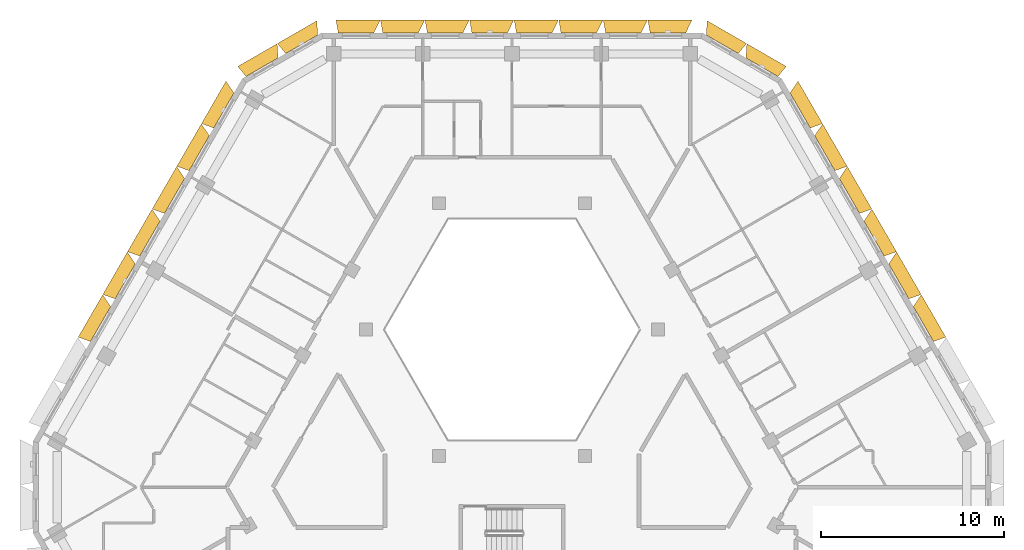
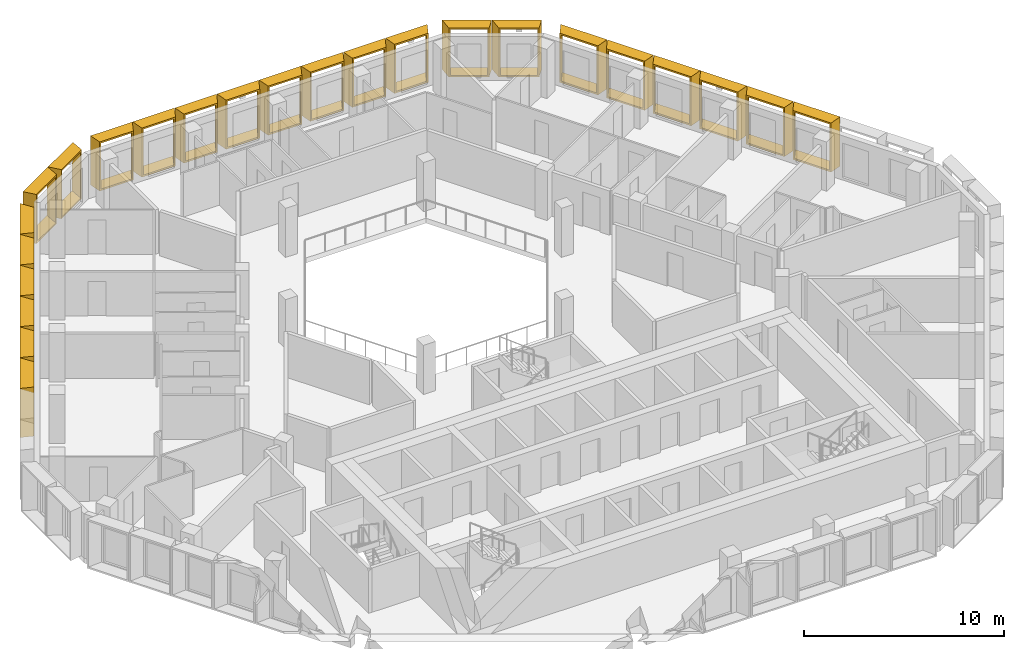
# One storey, part 18 of 18: 24 shading devices.
"""IFC4 building model written with IfcOpenShell, lengths in metres."""

from ifc_helpers import new_model, entity, si_unit, direction, frame, origin, place, context, subcontext, project, spatial, source, transform, mapped, material, type_object, type_shapes, element, save


model = new_model("IFC4")

# Units and contexts
model_context = context("Model", 3, precision=1e-05, world=origin(), true_north=direction((0.0, 1.0)))
body_context = subcontext(model_context, "Body", "Model", "MODEL_VIEW")
ifc_project = project(units=[si_unit("LENGTHUNIT", "METRE"), si_unit("AREAUNIT", "SQUARE_METRE"), si_unit("VOLUMEUNIT", "CUBIC_METRE"), si_unit("PLANEANGLEUNIT", "RADIAN"), si_unit("MASSUNIT", "GRAM", prefix="KILO")], contexts=[model_context])

# Site, building, storey
site_placement = place(None, origin())
site = spatial("IfcSite", under=ifc_project, at=site_placement, CompositionType="ELEMENT")
building_placement = place(site_placement, origin())
building = spatial("IfcBuilding", under=site, at=building_placement, Name="Beryl Residences", CompositionType="ELEMENT")
storey_placement = place(building_placement, frame((0.0, 0.0, 190.199951171875)))
storey = spatial("IfcBuildingStorey", under=building, at=storey_placement, Name="L58", CompositionType="ELEMENT", Elevation=190.199951171875)

# Shading devices
ifc_material_1 = material(Name="Aluminium pale anodised", Category="aluminium")
shading_device_type_1 = type_object("IfcShadingDeviceType", Name="FR243-70B OUTER SKIN frame 700 mm deep, splay 26/10 deg, 2430 x 3000 mm cell", PredefinedType="USERDEFINED", material=ifc_material_1)
cartesian_point_1 = entity("IfcCartesianPoint", [-0.972412109375, 0.0])
cartesian_point_2 = entity("IfcCartesianPoint", [-0.883544921875, 0.10009765625])
cartesian_point_3 = entity("IfcCartesianPoint", [-1.31396484375, 0.0])
cartesian_point_4 = entity("IfcCartesianPoint", [-1.224853515625, 0.10009765625])
shared_shape_1 = source(origin(), body_context, "Body", "SweptSolid", [
    entity("IfcExtrudedAreaSolidTapered", entity("IfcArbitraryProfileDefWithVoids", "AREA", None, entity("IfcPolyline", [cartesian_point_1, entity("IfcCartesianPoint", [0.972412109375, 0.0]), entity("IfcCartesianPoint", [0.972412109375, 3.0]), entity("IfcCartesianPoint", [-0.972412109375, 3.0]), cartesian_point_1]), [entity("IfcPolyline", [cartesian_point_2, entity("IfcCartesianPoint", [0.891357421875, 0.10009765625]), entity("IfcCartesianPoint", [0.891357421875, 2.89990234375]), entity("IfcCartesianPoint", [-0.883544921875, 2.89990234375]), cartesian_point_2])]), entity("IfcAxis2Placement3D", entity("IfcCartesianPoint", [0.0, 0.0, 0.0]), entity("IfcDirection", [0.0, 1.0, 0.0]), entity("IfcDirection", [-1.0, 0.0, 0.0])), entity("IfcDirection", [0.0, 0.0, 1.0]), 0.699951171875, entity("IfcArbitraryProfileDefWithVoids", "AREA", None, entity("IfcPolyline", [cartesian_point_3, entity("IfcCartesianPoint", [1.095947265625, 0.0]), entity("IfcCartesianPoint", [1.095947265625, 3.0]), entity("IfcCartesianPoint", [-1.31396484375, 3.0]), cartesian_point_3]), [entity("IfcPolyline", [cartesian_point_4, entity("IfcCartesianPoint", [1.0146484375, 0.10009765625]), entity("IfcCartesianPoint", [1.0146484375, 2.89990234375]), entity("IfcCartesianPoint", [-1.224853515625, 2.89990234375]), cartesian_point_4])])),
])
type_shapes(shading_device_type_1, [shared_shape_1])
for number, where, z_axis, x_axis, name in (
    (1, (8.511962890625, 24.199951171875, 0.0), (0.0, 0.0, 1.0), (1.0, 0.0, 0.0), "FR243-70B frame L58 N 1"),
    (2, (6.080078125, 24.199951171875, 0.0), (0.0, 0.0, 1.0), (1.0, 0.0, 0.0), "FR243-70B frame L58 N 2"),
    (3, (3.64794921875, 24.199951171875, 0.0), (0.0, 0.0, 1.0), (1.0, 0.0, 0.0), "FR243-70B frame L58 N 3"),
    (4, (1.216064453125, 24.199951171875, 0.0), (0.0, 0.0, 1.0), (1.0, 0.0, 0.0), "FR243-70B frame L58 N 4"),
    (5, (-1.216064453125, 24.199951171875, 0.0), (0.0, 0.0, 1.0), (1.0, 0.0, 0.0), "FR243-70B frame L58 N 5"),
    (6, (-3.64794921875, 24.199951171875, 0.0), (0.0, 0.0, 1.0), (1.0, 0.0, 0.0), "FR243-70B frame L58 N 6"),
    (7, (-6.080078125, 24.199951171875, 0.0), (0.0, 0.0, 1.0), (1.0, 0.0, 0.0), "FR243-70B frame L58 N 7"),
    (8, (-8.511962890625, 24.199951171875, 0.0), (0.0, 0.0, 1.0), (1.0, 0.0, 0.0), "FR243-70B frame L58 N 8"),
):
    element("IfcShadingDevice", number, at=place(storey_placement, frame(where, z_axis=z_axis, x_axis=x_axis)), inside=storey, type_object=shading_device_type_1, Name=name, ObjectType="OUTER SKIN", PredefinedType="USERDEFINED", context=body_context, shape_type="MappedRepresentation", body=[
        mapped(shared_shape_1, transform((0.0, 0.0, 0.0))),
    ])
ifc_material_2 = material(Name="Aluminium pale anodised", Category="aluminium")
shading_device_type_2 = type_object("IfcShadingDeviceType", Name="FR250-70B OUTER SKIN frame 700 mm deep, splay 26/10 deg, 2500 x 3000 mm cell", PredefinedType="USERDEFINED", material=ifc_material_2)
cartesian_point_5 = entity("IfcCartesianPoint", [-1.007568359375, 0.0])
cartesian_point_6 = entity("IfcCartesianPoint", [-0.91845703125, 0.10009765625])
cartesian_point_7 = entity("IfcCartesianPoint", [-1.348876953125, 0.0])
cartesian_point_8 = entity("IfcCartesianPoint", [-1.260009765625, 0.10009765625])
shared_shape_2 = source(origin(), body_context, "Body", "SweptSolid", [
    entity("IfcExtrudedAreaSolidTapered", entity("IfcArbitraryProfileDefWithVoids", "AREA", None, entity("IfcPolyline", [cartesian_point_5, entity("IfcCartesianPoint", [1.007568359375, 0.0]), entity("IfcCartesianPoint", [1.007568359375, 3.0]), entity("IfcCartesianPoint", [-1.007568359375, 3.0]), cartesian_point_5]), [entity("IfcPolyline", [cartesian_point_6, entity("IfcCartesianPoint", [0.92626953125, 0.10009765625]), entity("IfcCartesianPoint", [0.92626953125, 2.89990234375]), entity("IfcCartesianPoint", [-0.91845703125, 2.89990234375]), cartesian_point_6])]), entity("IfcAxis2Placement3D", entity("IfcCartesianPoint", [0.0, 0.0, 0.0]), entity("IfcDirection", [0.0, 1.0, 0.0]), entity("IfcDirection", [-1.0, 0.0, 0.0])), entity("IfcDirection", [0.0, 0.0, 1.0]), 0.699951171875, entity("IfcArbitraryProfileDefWithVoids", "AREA", None, entity("IfcPolyline", [cartesian_point_7, entity("IfcCartesianPoint", [1.130859375, 0.0]), entity("IfcCartesianPoint", [1.130859375, 3.0]), entity("IfcCartesianPoint", [-1.348876953125, 3.0]), cartesian_point_7]), [entity("IfcPolyline", [cartesian_point_8, entity("IfcCartesianPoint", [1.0498046875, 0.10009765625]), entity("IfcCartesianPoint", [1.0498046875, 2.89990234375]), entity("IfcCartesianPoint", [-1.260009765625, 2.89990234375]), cartesian_point_8])])),
])
type_shapes(shading_device_type_2, [shared_shape_2])
for number, where, z_axis, x_axis, name in (
    (9, (-11.47412109375, 23.574951171875, 0.0), (0.0, 0.0, 1.0), (0.866025403784, 0.5, 0.0), "FR250-70B frame L58 N-NW 1"),
    (10, (-13.638916015625, 22.324951171875, 0.0), (0.0, 0.0, 1.0), (0.866025403784, 0.5, 0.0), "FR250-70B frame L58 N-NW 2"),
):
    element("IfcShadingDevice", number, at=place(storey_placement, frame(where, z_axis=z_axis, x_axis=x_axis)), inside=storey, type_object=shading_device_type_2, Name=name, ObjectType="OUTER SKIN", PredefinedType="USERDEFINED", context=body_context, shape_type="MappedRepresentation", body=[
        mapped(shared_shape_2, transform((0.0, 0.0, 0.0))),
    ])
ifc_material_3 = material(Name="Aluminium pale anodised", Category="aluminium")
shading_device_type_3 = type_object("IfcShadingDeviceType", Name="FR250-70C OUTER SKIN frame 700 mm deep, splay 10/26 deg, 2500 x 3000 mm cell", PredefinedType="USERDEFINED", material=ifc_material_3)
cartesian_point_9 = entity("IfcCartesianPoint", [-1.007568359375, 0.0])
cartesian_point_10 = entity("IfcCartesianPoint", [-0.92626953125, 0.10009765625])
cartesian_point_11 = entity("IfcCartesianPoint", [-1.130859375, 0.0])
cartesian_point_12 = entity("IfcCartesianPoint", [-1.0498046875, 0.10009765625])
shared_shape_3 = source(origin(), body_context, "Body", "SweptSolid", [
    entity("IfcExtrudedAreaSolidTapered", entity("IfcArbitraryProfileDefWithVoids", "AREA", None, entity("IfcPolyline", [cartesian_point_9, entity("IfcCartesianPoint", [1.007568359375, 0.0]), entity("IfcCartesianPoint", [1.007568359375, 3.0]), entity("IfcCartesianPoint", [-1.007568359375, 3.0]), cartesian_point_9]), [entity("IfcPolyline", [cartesian_point_10, entity("IfcCartesianPoint", [0.91845703125, 0.10009765625]), entity("IfcCartesianPoint", [0.91845703125, 2.89990234375]), entity("IfcCartesianPoint", [-0.92626953125, 2.89990234375]), cartesian_point_10])]), entity("IfcAxis2Placement3D", entity("IfcCartesianPoint", [0.0, 0.0, 0.0]), entity("IfcDirection", [0.0, 1.0, 0.0]), entity("IfcDirection", [-1.0, 0.0, 0.0])), entity("IfcDirection", [0.0, 0.0, 1.0]), 0.699951171875, entity("IfcArbitraryProfileDefWithVoids", "AREA", None, entity("IfcPolyline", [cartesian_point_11, entity("IfcCartesianPoint", [1.348876953125, 0.0]), entity("IfcCartesianPoint", [1.348876953125, 3.0]), entity("IfcCartesianPoint", [-1.130859375, 3.0]), cartesian_point_11]), [entity("IfcPolyline", [cartesian_point_12, entity("IfcCartesianPoint", [1.260009765625, 0.10009765625]), entity("IfcCartesianPoint", [1.260009765625, 2.89990234375]), entity("IfcCartesianPoint", [-1.0498046875, 2.89990234375]), cartesian_point_12])])),
])
type_shapes(shading_device_type_3, [shared_shape_3])
for number, where, z_axis, x_axis, name in (
    (11, (13.638916015625, 22.324951171875, 0.0), (0.0, 0.0, 1.0), (0.866025403784, -0.5, 0.0), "FR250-70C frame L58 NE-N 1"),
    (12, (11.47412109375, 23.574951171875, 0.0), (0.0, 0.0, 1.0), (0.866025403784, -0.5, 0.0), "FR250-70C frame L58 NE-N 2"),
):
    element("IfcShadingDevice", number, at=place(storey_placement, frame(where, z_axis=z_axis, x_axis=x_axis)), inside=storey, type_object=shading_device_type_3, Name=name, ObjectType="OUTER SKIN", PredefinedType="USERDEFINED", context=body_context, shape_type="MappedRepresentation", body=[
        mapped(shared_shape_3, transform((0.0, 0.0, 0.0))),
    ])
ifc_material_4 = material(Name="Aluminium pale anodised", Category="aluminium")
shading_device_type_4 = type_object("IfcShadingDeviceType", Name="FR269-70B OUTER SKIN frame 700 mm deep, splay 26/10 deg, 2690 x 3000 mm cell", PredefinedType="USERDEFINED", material=ifc_material_4)
cartesian_point_13 = entity("IfcCartesianPoint", [-1.1025390625, 0.0])
cartesian_point_14 = entity("IfcCartesianPoint", [-1.013427734375, 0.10009765625])
cartesian_point_15 = entity("IfcCartesianPoint", [-1.44384765625, 0.0])
cartesian_point_16 = entity("IfcCartesianPoint", [-1.35498046875, 0.10009765625])
shared_shape_4 = source(origin(), body_context, "Body", "SweptSolid", [
    entity("IfcExtrudedAreaSolidTapered", entity("IfcArbitraryProfileDefWithVoids", "AREA", None, entity("IfcPolyline", [cartesian_point_13, entity("IfcCartesianPoint", [1.1025390625, 0.0]), entity("IfcCartesianPoint", [1.1025390625, 3.0]), entity("IfcCartesianPoint", [-1.1025390625, 3.0]), cartesian_point_13]), [entity("IfcPolyline", [cartesian_point_14, entity("IfcCartesianPoint", [1.021240234375, 0.10009765625]), entity("IfcCartesianPoint", [1.021240234375, 2.89990234375]), entity("IfcCartesianPoint", [-1.013427734375, 2.89990234375]), cartesian_point_14])]), entity("IfcAxis2Placement3D", entity("IfcCartesianPoint", [0.0, 0.0, 0.0]), entity("IfcDirection", [0.0, 1.0, 0.0]), entity("IfcDirection", [-1.0, 0.0, 0.0])), entity("IfcDirection", [0.0, 0.0, 1.0]), 0.699951171875, entity("IfcArbitraryProfileDefWithVoids", "AREA", None, entity("IfcPolyline", [cartesian_point_15, entity("IfcCartesianPoint", [1.225830078125, 0.0]), entity("IfcCartesianPoint", [1.225830078125, 3.0]), entity("IfcCartesianPoint", [-1.44384765625, 3.0]), cartesian_point_15]), [entity("IfcPolyline", [cartesian_point_16, entity("IfcCartesianPoint", [1.144775390625, 0.10009765625]), entity("IfcCartesianPoint", [1.144775390625, 2.89990234375]), entity("IfcCartesianPoint", [-1.35498046875, 2.89990234375]), cartesian_point_16])])),
])
type_shapes(shading_device_type_4, [shared_shape_4])
for number, where, z_axis, x_axis, name in (
    (13, (-15.72705078125, 19.9599609375, 0.0), (0.0, 0.0, 1.0), (0.5, 0.866025403784, 0.0), "FR269-70B frame L58 NW 1"),
    (14, (-17.072998046875, 17.6279296875, 0.0), (0.0, 0.0, 1.0), (0.5, 0.866025403784, 0.0), "FR269-70B frame L58 NW 2"),
    (15, (-18.4189453125, 15.297119140625, 0.0), (0.0, 0.0, 1.0), (0.5, 0.866025403784, 0.0), "FR269-70B frame L58 NW 3"),
    (16, (-19.764892578125, 12.966064453125, 0.0), (0.0, 0.0, 1.0), (0.5, 0.866025403784, 0.0), "FR269-70B frame L58 NW 4"),
    (17, (-21.111083984375, 10.634033203125, 0.0), (0.0, 0.0, 1.0), (0.5, 0.866025403784, 0.0), "FR269-70B frame L58 NW 5"),
    (18, (-22.45703125, 8.302978515625, 0.0), (0.0, 0.0, 1.0), (0.5, 0.866025403784, 0.0), "FR269-70B frame L58 NW 6"),
):
    element("IfcShadingDevice", number, at=place(storey_placement, frame(where, z_axis=z_axis, x_axis=x_axis)), inside=storey, type_object=shading_device_type_4, Name=name, ObjectType="OUTER SKIN", PredefinedType="USERDEFINED", context=body_context, shape_type="MappedRepresentation", body=[
        mapped(shared_shape_4, transform((0.0, 0.0, 0.0))),
    ])
ifc_material_5 = material(Name="Aluminium pale anodised", Category="aluminium")
shading_device_type_5 = type_object("IfcShadingDeviceType", Name="FR269-70C OUTER SKIN frame 700 mm deep, splay 10/26 deg, 2690 x 3000 mm cell", PredefinedType="USERDEFINED", material=ifc_material_5)
cartesian_point_17 = entity("IfcCartesianPoint", [-1.1025390625, 0.0])
cartesian_point_18 = entity("IfcCartesianPoint", [-1.021240234375, 0.10009765625])
cartesian_point_19 = entity("IfcCartesianPoint", [-1.225830078125, 0.0])
cartesian_point_20 = entity("IfcCartesianPoint", [-1.144775390625, 0.10009765625])
shared_shape_5 = source(origin(), body_context, "Body", "SweptSolid", [
    entity("IfcExtrudedAreaSolidTapered", entity("IfcArbitraryProfileDefWithVoids", "AREA", None, entity("IfcPolyline", [cartesian_point_17, entity("IfcCartesianPoint", [1.1025390625, 0.0]), entity("IfcCartesianPoint", [1.1025390625, 3.0]), entity("IfcCartesianPoint", [-1.1025390625, 3.0]), cartesian_point_17]), [entity("IfcPolyline", [cartesian_point_18, entity("IfcCartesianPoint", [1.013427734375, 0.10009765625]), entity("IfcCartesianPoint", [1.013427734375, 2.89990234375]), entity("IfcCartesianPoint", [-1.021240234375, 2.89990234375]), cartesian_point_18])]), entity("IfcAxis2Placement3D", entity("IfcCartesianPoint", [0.0, 0.0, 0.0]), entity("IfcDirection", [0.0, 1.0, 0.0]), entity("IfcDirection", [-1.0, 0.0, 0.0])), entity("IfcDirection", [0.0, 0.0, 1.0]), 0.699951171875, entity("IfcArbitraryProfileDefWithVoids", "AREA", None, entity("IfcPolyline", [cartesian_point_19, entity("IfcCartesianPoint", [1.44384765625, 0.0]), entity("IfcCartesianPoint", [1.44384765625, 3.0]), entity("IfcCartesianPoint", [-1.225830078125, 3.0]), cartesian_point_19]), [entity("IfcPolyline", [cartesian_point_20, entity("IfcCartesianPoint", [1.35498046875, 0.10009765625]), entity("IfcCartesianPoint", [1.35498046875, 2.89990234375]), entity("IfcCartesianPoint", [-1.144775390625, 2.89990234375]), cartesian_point_20])])),
])
type_shapes(shading_device_type_5, [shared_shape_5])
for number, where, z_axis, x_axis, name in (
    (19, (22.45703125, 8.302978515625, 0.0), (0.0, 0.0, 1.0), (0.5, -0.866025403784, 0.0), "FR269-70C frame L58 NE 3"),
    (20, (21.111083984375, 10.634033203125, 0.0), (0.0, 0.0, 1.0), (0.5, -0.866025403784, 0.0), "FR269-70C frame L58 NE 4"),
    (21, (19.764892578125, 12.966064453125, 0.0), (0.0, 0.0, 1.0), (0.5, -0.866025403784, 0.0), "FR269-70C frame L58 NE 5"),
    (22, (18.4189453125, 15.297119140625, 0.0), (0.0, 0.0, 1.0), (0.5, -0.866025403784, 0.0), "FR269-70C frame L58 NE 6"),
    (23, (17.072998046875, 17.6279296875, 0.0), (0.0, 0.0, 1.0), (0.5, -0.866025403784, 0.0), "FR269-70C frame L58 NE 7"),
    (24, (15.72705078125, 19.9599609375, 0.0), (0.0, 0.0, 1.0), (0.5, -0.866025403784, 0.0), "FR269-70C frame L58 NE 8"),
):
    element("IfcShadingDevice", number, at=place(storey_placement, frame(where, z_axis=z_axis, x_axis=x_axis)), inside=storey, type_object=shading_device_type_5, Name=name, ObjectType="OUTER SKIN", PredefinedType="USERDEFINED", context=body_context, shape_type="MappedRepresentation", body=[
        mapped(shared_shape_5, transform((0.0, 0.0, 0.0))),
    ])

save(model, "model.ifc")
